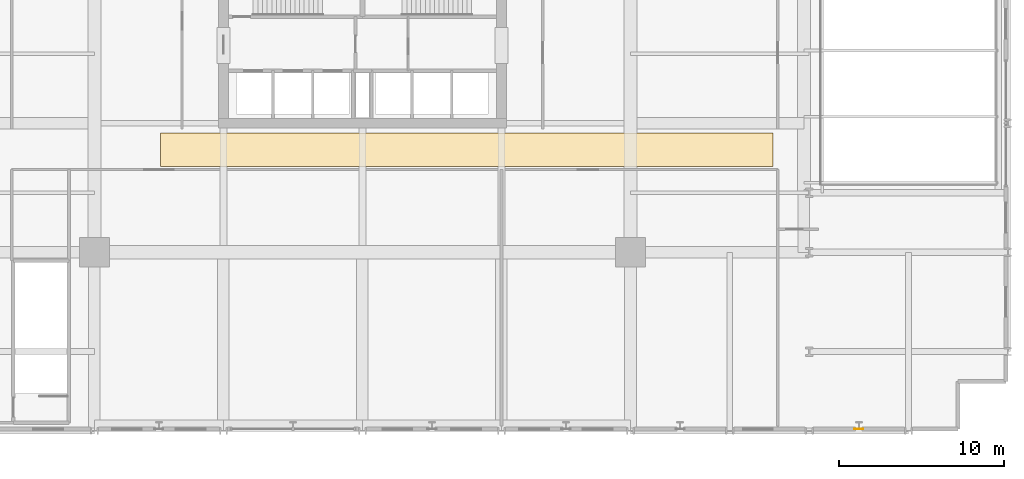
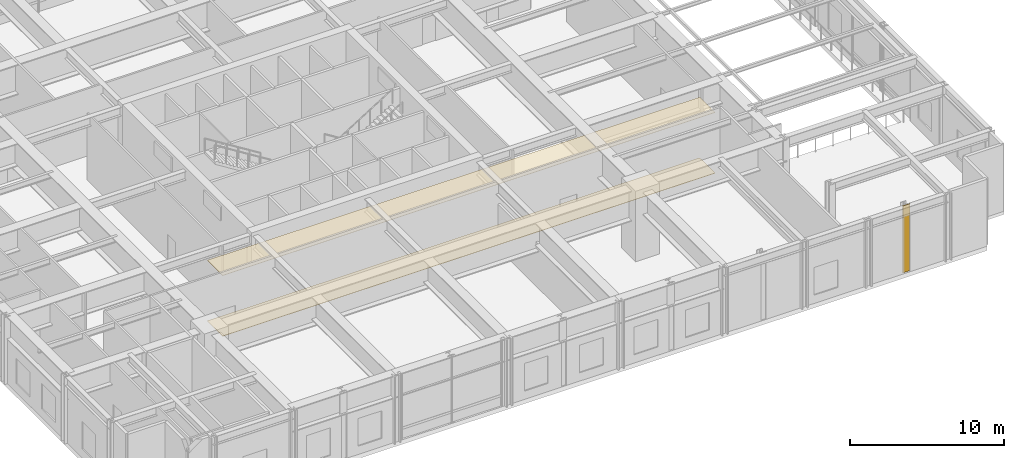
# One storey, part 17 of 19: 3 coverings.
"""IFC4 building model written with IfcOpenShell, lengths in metres."""

from ifc_helpers import new_model, si_unit, direction, frame, origin, origin_2d, place, context, subcontext, project, spatial, polyline, rectangle, outline, extrude, material, layer, layer_set, type_object, element, save


model = new_model("IFC4")

# Units and contexts
model_context = context("Model", 3, precision=1e-05, world=origin(), true_north=direction((0.0, 1.0)))
body_context = subcontext(model_context, "Body", "Model", "MODEL_VIEW")
ifc_project = project(units=[si_unit("LENGTHUNIT", "METRE"), si_unit("AREAUNIT", "SQUARE_METRE"), si_unit("VOLUMEUNIT", "CUBIC_METRE"), si_unit("PLANEANGLEUNIT", "RADIAN"), si_unit("MASSUNIT", "GRAM", prefix="KILO")], contexts=[model_context])

# Site, building, storey
site_placement = place(None, origin())
site = spatial("IfcSite", under=ifc_project, at=site_placement, CompositionType="ELEMENT")
building_placement = place(site_placement, origin())
building = spatial("IfcBuilding", under=site, at=building_placement, Name="Drelvath Grand Hotel", CompositionType="ELEMENT")
storey_placement = place(building_placement, frame((0.0, 0.0, 27.60009765625)))
storey = spatial("IfcBuildingStorey", under=building, at=storey_placement, Name="L05", CompositionType="ELEMENT", Elevation=27.60009765625)

# Coverings
ifc_material_1 = material(Name="Acoustic Gypsum Board")
ifc_layer_1 = layer(ifc_material_1, 0.02490234375)
ifc_layer_set_1 = layer_set([ifc_layer_1], Name="Acoustic Gypsum Board")
covering_type_1 = type_object("IfcCoveringType", Name="Acoustic Gypsum Hospitality Ceiling 25", PredefinedType="CEILING", material=ifc_layer_set_1)
covering_1_placement = place(storey_placement, frame((0.0, 0.0, 4.81982421875)))
element("IfcCovering", 1, at=covering_1_placement, inside=storey, type_object=covering_type_1, Name="L05 Podium Gallery Ceiling", PredefinedType="CEILING", context=body_context, shape_type="SweptSolid", body=[
    extrude(outline(polyline([(24.800048828125, 16.0), (24.800048828125, 18.0), (-12.199951171875, 18.0), (-12.199951171875, 16.0), (24.800048828125, 16.0)])), origin(), (0.0, 0.0, 1.0), 0.025146484375),
])
ifc_material_2 = material(Name="Warm Bronze Anodised Aluminium Cladding", Category="aluminium")
ifc_layer_2 = layer(ifc_material_2, 0.034912109375)
ifc_layer_set_2 = layer_set([ifc_layer_2], Name="Warm Bronze Anodised Aluminium Cladding")
covering_type_2 = type_object("IfcCoveringType", Name="Bronze Anodised Pier Cladding Panel 35", PredefinedType="CLADDING", material=ifc_layer_set_2)
covering_2_placement = place(storey_placement, frame((30.0, 0.1201171875, 0.0), z_axis=(0.0, 0.0, 1.0), x_axis=(1.0, 0.0, 0.0)))
element("IfcCovering", 2, at=covering_2_placement, inside=storey, type_object=covering_type_2, Name="L05 Colonnade Bronze Pier Cladding S6", PredefinedType="CLADDING", context=body_context, shape_type="SweptSolid", body=[
    extrude(rectangle(XDim=0.550048828125, YDim=0.034912109375, at=origin_2d()), origin(), (0.0, 0.0, 1.0), 5.320068359375),
])
ifc_material_3 = material(Name="Honed Indiana Limestone", Category="masonry")
ifc_layer_3 = layer(ifc_material_3, 0.030029296875)
ifc_layer_set_3 = layer_set([ifc_layer_3], Name="Honed Indiana Limestone")
covering_type_3 = type_object("IfcCoveringType", Name="Honed Limestone Lobby Flooring 30", PredefinedType="FLOORING", material=ifc_layer_set_3)
covering_3_placement = place(storey_placement, origin())
element("IfcCovering", 3, at=covering_3_placement, inside=storey, type_object=covering_type_3, Name="L05 Podium Gallery Stone Floor", PredefinedType="FLOORING", context=body_context, shape_type="SweptSolid", body=[
    extrude(outline(polyline([(24.800048828125, 16.0), (24.800048828125, 18.0), (-12.199951171875, 18.0), (-12.199951171875, 16.0), (24.800048828125, 16.0)])), origin(), (0.0, 0.0, 1.0), 0.02978515625),
])

save(model, "model.ifc")
